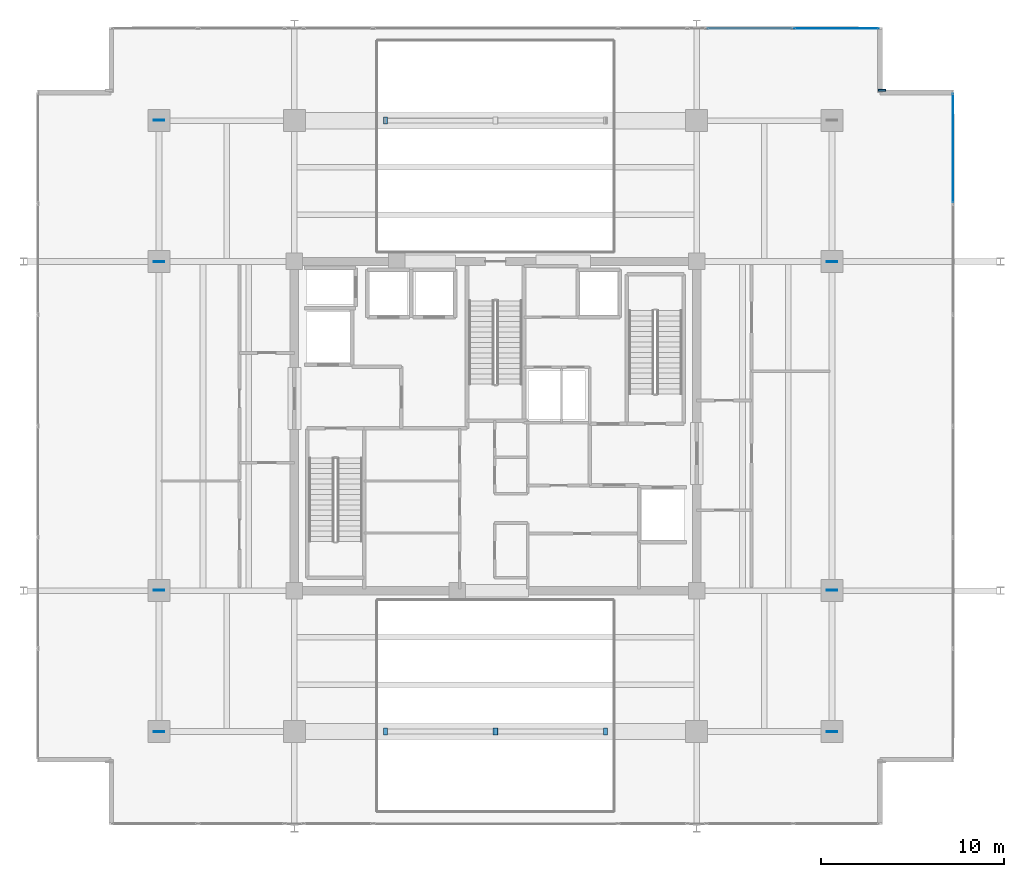
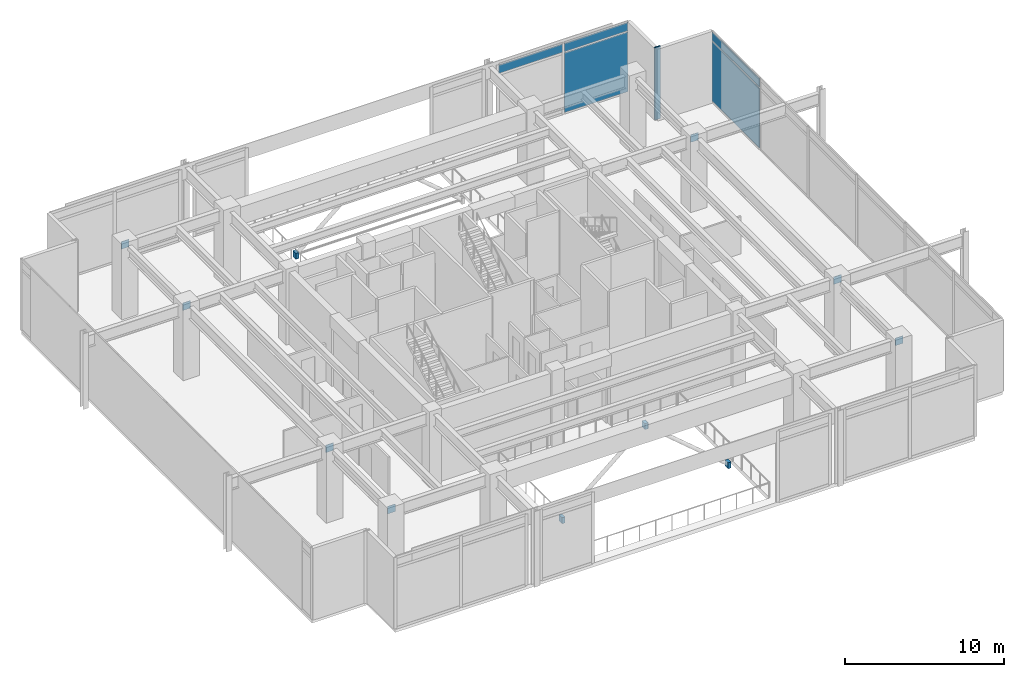
# One storey, part 19 of 25: 18 plates, 2 elements without a shape of their own.
"""IFC4 building model written with IfcOpenShell, lengths in metres."""

from ifc_helpers import new_model, si_unit, direction, frame, origin, origin_2d, place, context, subcontext, project, spatial, rectangle, extrude, material, layer, layer_set, type_object, element, aggregate, save


model = new_model("IFC4")

# Units and contexts
model_context = context("Model", 3, precision=1e-05, world=origin(), true_north=direction((0.0, 1.0)))
body_context = subcontext(model_context, "Body", "Model", "MODEL_VIEW")
ifc_project = project(units=[si_unit("LENGTHUNIT", "METRE"), si_unit("AREAUNIT", "SQUARE_METRE"), si_unit("VOLUMEUNIT", "CUBIC_METRE"), si_unit("PLANEANGLEUNIT", "RADIAN"), si_unit("MASSUNIT", "GRAM", prefix="KILO")], contexts=[model_context])

# Site, building, storey
site_placement = place(None, origin())
site = spatial("IfcSite", under=ifc_project, at=site_placement, CompositionType="ELEMENT")
building_placement = place(site_placement, origin())
building = spatial("IfcBuilding", under=site, at=building_placement, Name="Kovane Verandah Tower", CompositionType="ELEMENT")
storey_placement = place(building_placement, frame((0.0, 0.0, 295.199951171875)))
storey = spatial("IfcBuildingStorey", under=building, at=storey_placement, Name="L69", CompositionType="ELEMENT", Elevation=295.199951171875)

# Plates
ifc_material_1 = material(Name="Steel S460", Category="steel")
ifc_layer_1 = layer(ifc_material_1, 0.050048828125)
ifc_layer_set_1 = layer_set([ifc_layer_1], Name="Steel S460")
plate_type_1 = type_object("IfcPlateType", Name="PL-CAP-50", PredefinedType="SHEET", material=ifc_layer_set_1)
for number, where, z_axis, x_axis, name in (
    (1, (21.60009765625, 10.780029296875, 4.93994140625), (0.0, 0.0, 1.0), (0.0, 1.0, 0.0), "BT-CH-BW1-L69-P0"),
    (2, (21.60009765625, 18.52001953125, 4.93994140625), (0.0, 0.0, 1.0), (0.0, 1.0, 0.0), "BT-CH-BW1-L69-P1"),
    (3, (21.60009765625, 36.47998046875, 4.93994140625), (0.0, 0.0, 1.0), (0.0, 1.0, 0.0), "BT-CH-BW2-L69-P0"),
    (4, (21.60009765625, 44.219970703125, 4.93994140625), (0.0, 0.0, 1.0), (0.0, 1.0, 0.0), "BT-CH-BW2-L69-P1"),
    (5, (58.39990234375, 10.780029296875, 4.93994140625), (0.0, 0.0, 1.0), (0.0, 1.0, 0.0), "BT-CH-BE1-L69-P0"),
    (6, (58.39990234375, 18.52001953125, 4.93994140625), (0.0, 0.0, 1.0), (0.0, 1.0, 0.0), "BT-CH-BE1-L69-P1"),
    (7, (58.39990234375, 36.47998046875, 4.93994140625), (0.0, 0.0, 1.0), (0.0, 1.0, 0.0), "BT-CH-BE2-L69-P0"),
):
    element("IfcPlate", number, at=place(storey_placement, frame(where, z_axis=z_axis, x_axis=x_axis)), inside=storey, type_object=plate_type_1, Name=name, PredefinedType="SHEET", context=body_context, shape_type="SweptSolid", body=[
        extrude(rectangle(XDim=0.050048828125, YDim=0.56005859375, at=origin_2d()), origin(), (0.0, 0.0, 1.0), 0.56005859375),
    ])
for number, where, z_axis, x_axis, name in (
    (8, (33.984619140625, 44.199951171875, -0.122802734375), (0.0, 0.0, 1.0), (1.0, 0.0, 0.0), "WP-ST1A-L69-P0"),
    (9, (33.984619140625, 10.800048828125, -0.122802734375), (0.0, 0.0, 1.0), (1.0, 0.0, 0.0), "WP-ST2A-L69-P0"),
    (10, (40.015380859375, 10.800048828125, 4.98291015625), (0.0, 0.0, 1.0), (1.0, 0.0, 0.0), "WP-ST2A-L69-P1"),
    (11, (46.015380859375, 10.800048828125, -0.122802734375), (0.0, 0.0, 1.0), (-1.0, 0.0, 0.0), "WP-ST2B-L69-P0"),
    (12, (39.984619140625, 10.800048828125, 4.98291015625), (0.0, 0.0, 1.0), (-1.0, 0.0, 0.0), "WP-ST2B-L69-P1"),
):
    element("IfcPlate", number, at=place(storey_placement, frame(where, z_axis=z_axis, x_axis=x_axis)), inside=storey, type_object=plate_type_1, Name=name, PredefinedType="SHEET", context=body_context, shape_type="SweptSolid", body=[
        extrude(rectangle(XDim=0.219970703125, YDim=0.3798828125, at=origin_2d()), origin(), (0.0, 0.0, 1.0), 0.4599609375),
    ])

# Curtain wall, plate
ifc_material_2 = material(Name="Champagne Anodised Aluminium Frame with Low-E Clear Laminated Glass", Category="aluminium")
curtain_wall_type = type_object("IfcCurtainWallType", Name="CW-SYS-05-HIGH", PredefinedType="NOTDEFINED", material=ifc_material_2)
curtain_wall_1_placement = place(storey_placement, origin())
curtain_wall_1 = element("IfcCurtainWall", 13, at=curtain_wall_1_placement, inside=storey, type_object=curtain_wall_type, Name="L69 E Unitised Curtain Wall", PredefinedType="NOTDEFINED")
ifc_material_3 = material(Name="Pale Champagne Anodised Aluminium Insulated Spandrel", Category="aluminium")
ifc_layer_2 = layer(ifc_material_3, 0.0400390625)
ifc_layer_set_2 = layer_set([ifc_layer_2], Name="Pale Champagne Anodised Aluminium Insulated Spandrel")
plate_type_2 = type_object("IfcPlateType", Name="PL-CW-SPD-40", PredefinedType="SHEET", material=ifc_layer_set_2)
plate_1_placement = place(storey_placement, frame((65.017822265625, 42.701416015625, 4.77001953125), z_axis=(0.0, 0.0, 1.0), x_axis=(0.0, 1.0, 0.0)))
plate_1 = element("IfcPlate", 14, at=plate_1_placement, type_object=plate_type_2, Name="L69 E Unitised Curtain Wall Spandrel Panel 6", PredefinedType="SHEET", context=body_context, shape_type="SweptSolid", body=[
    extrude(rectangle(XDim=5.9404296875, YDim=0.0400390625, at=origin_2d()), origin(), (0.0, 0.0, 1.0), 0.639892578125),
])

# Curtain wall, plates
curtain_wall_2_placement = place(storey_placement, origin())
curtain_wall_2 = element("IfcCurtainWall", 15, at=curtain_wall_2_placement, inside=storey, type_object=curtain_wall_type, Name="L69 North-East Wind-Portal Curtain Wall 1", PredefinedType="NOTDEFINED")
plate_2_placement = place(storey_placement, frame((58.643310546875, 49.24169921875, 4.77001953125), z_axis=(0.0, 0.0, 1.0), x_axis=(-1.0, 0.0, 0.0)))
plate_2 = element("IfcPlate", 16, at=plate_2_placement, type_object=plate_type_2, Name="L69 North-East Wind-Portal Curtain Wall 1 Spandrel Panel 1", PredefinedType="SHEET", context=body_context, shape_type="SweptSolid", body=[
    extrude(rectangle(XDim=4.60888671875, YDim=0.0400390625, at=origin_2d()), origin(), (0.0, 0.0, 1.0), 0.639892578125),
])
plate_3_placement = place(storey_placement, frame((53.89453125, 49.24169921875, 4.77001953125), z_axis=(0.0, 0.0, 1.0), x_axis=(-1.0, 0.0, 0.0)))
plate_3 = element("IfcPlate", 17, at=plate_3_placement, type_object=plate_type_2, Name="L69 North-East Wind-Portal Curtain Wall 1 Spandrel Panel 2", PredefinedType="SHEET", context=body_context, shape_type="SweptSolid", body=[
    extrude(rectangle(XDim=4.60888671875, YDim=0.0400390625, at=origin_2d()), origin(), (0.0, 0.0, 1.0), 0.639892578125),
])

# Plate
ifc_material_4 = material(Name="Clear Low-E Laminated Double Glazing", Category="glass")
ifc_layer_3 = layer(ifc_material_4, 0.031982421875)
ifc_layer_set_3 = layer_set([ifc_layer_3], Name="Clear Low-E Laminated Double Glazing")
plate_type_3 = type_object("IfcPlateType", Name="PL-CW-VIS-32", PredefinedType="CURTAIN_PANEL", material=ifc_layer_set_3)
plate_4_placement = place(storey_placement, frame((65.017822265625, 42.701416015625, 0.10009765625), z_axis=(0.0, 0.0, 1.0), x_axis=(0.0, 1.0, 0.0)))
plate_4 = element("IfcPlate", 18, at=plate_4_placement, type_object=plate_type_3, Name="L69 E Unitised Curtain Wall Vision Panel 6", PredefinedType="CURTAIN_PANEL", context=body_context, shape_type="SweptSolid", body=[
    extrude(rectangle(XDim=5.9404296875, YDim=0.031982421875, at=origin_2d()), origin(), (0.0, 0.0, 1.0), 4.570068359375),
])

aggregate(curtain_wall_1, [plate_4, plate_1])

plate_5_placement = place(storey_placement, frame((58.643310546875, 49.24169921875, 0.10009765625), z_axis=(0.0, 0.0, 1.0), x_axis=(-1.0, 0.0, 0.0)))
plate_5 = element("IfcPlate", 19, at=plate_5_placement, type_object=plate_type_3, Name="L69 North-East Wind-Portal Curtain Wall 1 Vision Panel 1", PredefinedType="CURTAIN_PANEL", context=body_context, shape_type="SweptSolid", body=[
    extrude(rectangle(XDim=4.60888671875, YDim=0.031982421875, at=origin_2d()), origin(), (0.0, 0.0, 1.0), 4.570068359375),
])

aggregate(curtain_wall_2, [plate_5, plate_2, plate_3])

ifc_material_5 = material(Name="Timber-Toned Subtropical Aluminium Vertical Blade", Category="wood")
ifc_layer_4 = layer(ifc_material_5, 0.090087890625)
ifc_layer_set_4 = layer_set([ifc_layer_4], Name="Timber-Toned Subtropical Aluminium Vertical Blade")
plate_type_4 = type_object("IfcPlateType", Name="PL-FIN-90", PredefinedType="USERDEFINED", material=ifc_layer_set_4)
plate_6_placement = place(storey_placement, frame((61.137939453125, 45.861572265625, -0.02001953125), z_axis=(0.0, 0.0, 1.0), x_axis=(1.0, 0.0, 0.0)))
element("IfcPlate", 20, at=plate_6_placement, inside=storey, type_object=plate_type_4, Name="L69 NE Timber-Toned Vertical Corner Fin", ObjectType="FIN", PredefinedType="USERDEFINED", context=body_context, shape_type="SweptSolid", body=[
    extrude(rectangle(XDim=0.419921875, YDim=0.090087890625, at=origin_2d()), origin(), (0.0, 0.0, 1.0), 5.56005859375),
])

save(model, "model.ifc")
